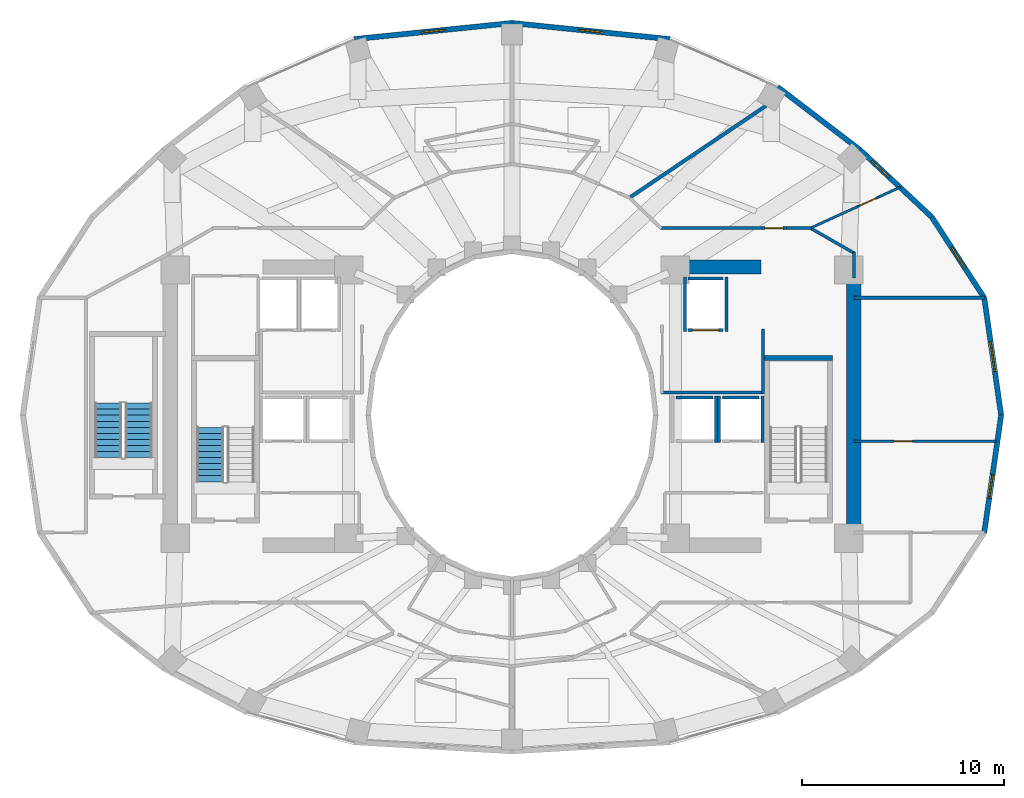
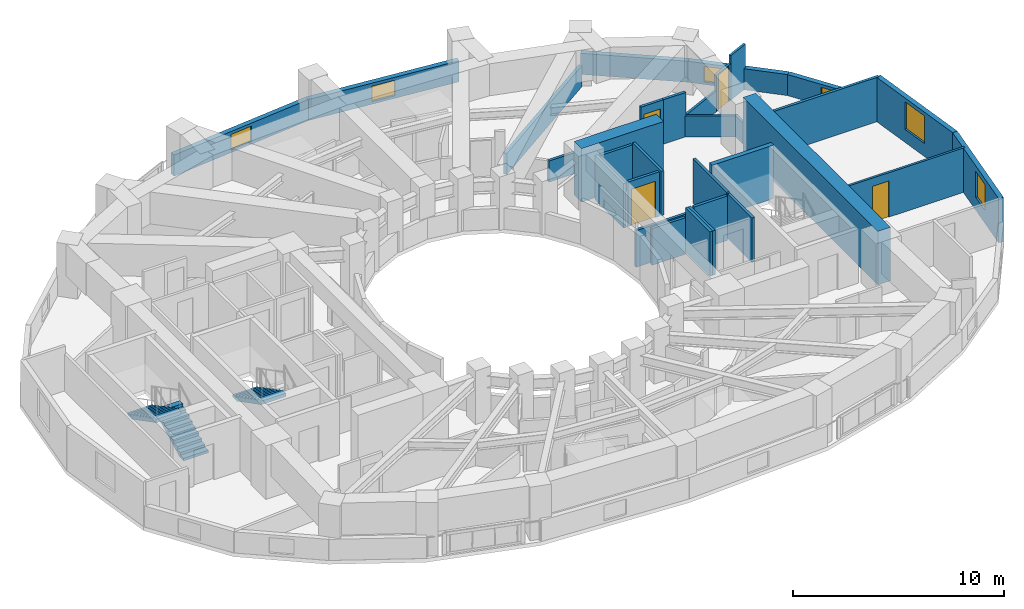
# One storey, part 12 of 16: 32 walls, 6 windows, 4 doors, 3 stair flights, 10 openings, 2 elements without a shape of their own.
"""IFC4 building model written with IfcOpenShell, lengths in metres."""

from ifc_helpers import new_model, si_unit, direction, frame, frame_2d, origin, place, context, subcontext, project, spatial, polyline, rectangle, outline, extrude, material, layer, layer_set, type_object, element, fill, aggregate, save


model = new_model("IFC4")

# Units and contexts
model_context = context("Model", 3, precision=1e-05, world=origin(), true_north=direction((0.0, 1.0)))
body_context = subcontext(model_context, "Body", "Model", "MODEL_VIEW")
ifc_project = project(units=[si_unit("LENGTHUNIT", "METRE"), si_unit("AREAUNIT", "SQUARE_METRE"), si_unit("VOLUMEUNIT", "CUBIC_METRE"), si_unit("PLANEANGLEUNIT", "RADIAN"), si_unit("MASSUNIT", "GRAM", prefix="KILO")], contexts=[model_context])

# Site, building, storey
site_placement = place(None, origin())
site = spatial("IfcSite", under=ifc_project, at=site_placement, CompositionType="ELEMENT")
building_placement = place(site_placement, origin())
building = spatial("IfcBuilding", under=site, at=building_placement, Name="Solvane Sanctuary Tower", CompositionType="ELEMENT")
storey_placement = place(building_placement, frame((0.0, 0.0, 119.699951171875)))
storey = spatial("IfcBuildingStorey", under=building, at=storey_placement, Name="L36", CompositionType="ELEMENT", Elevation=119.699951171875)

# Walls
ifc_material_1 = material(Name="Concrete C60/75", Category="concrete")
ifc_layer_1 = layer(ifc_material_1, 0.699951171875, Name="Concrete C60/75")
ifc_layer_set_1 = layer_set([ifc_layer_1], Name="Concrete C60/75")
wall_type_1 = type_object("IfcWallType", Name="Wall W-CORE-700", PredefinedType="SHEAR", material=ifc_layer_set_1)
wall_1_placement = place(storey_placement, frame((48.949951171875, 17.050048828125, 0.0), z_axis=(0.0, 0.0, 1.0), x_axis=(0.0, 1.0, 0.0)))
element("IfcWall", 1, at=wall_1_placement, inside=storey, type_object=wall_type_1, Name="L36 Core Shear Wall EC-E", PredefinedType="SHEAR", context=body_context, shape_type="SweptSolid", body=[
    extrude(rectangle(XDim=12.800048828125, YDim=0.699951171875, at=frame_2d((6.39990234375, 0.0))), origin(), (0.0, 0.0, 1.0), 3.10009765625),
])
wall_2_placement = place(storey_placement, frame((39.85009765625, 30.35009765625, 0.0), z_axis=(0.0, 0.0, 1.0), x_axis=(1.0, 0.0, 0.0)))
element("IfcWall", 2, at=wall_2_placement, inside=storey, type_object=wall_type_1, Name="L36 Core Shear Wall EC-N", PredefinedType="SHEAR", context=body_context, shape_type="SweptSolid", body=[
    extrude(rectangle(XDim=4.5, YDim=0.699951171875, at=frame_2d((2.25, 0.0))), origin(), (0.0, 0.0, 1.0), 3.10009765625),
])
ifc_material_2 = material(Name="Acoustic Gypsum Partition Board")
ifc_layer_2 = layer(ifc_material_2, 0.14990234375, Name="Acoustic Gypsum Partition Board")
ifc_layer_set_2 = layer_set([ifc_layer_2], Name="Acoustic Gypsum Partition Board")
wall_type_2 = type_object("IfcWallType", Name="Wall W-CORR-150", PredefinedType="PARTITIONING", material=ifc_layer_set_2)
wall_3_placement = place(storey_placement, frame((39.39990234375, 24.1201171875, 0.0), z_axis=(0.0, 0.0, 1.0), x_axis=(1.0, 0.0, 0.0)))
element("IfcWall", 3, at=wall_3_placement, inside=storey, type_object=wall_type_2, Name="L36 East Firefighting Lobby South Wall", PredefinedType="PARTITIONING", context=body_context, shape_type="SweptSolid", body=[
    extrude(rectangle(XDim=5.080078125, YDim=0.14990234375, at=frame_2d((2.5400390625, 0.0))), origin(), (0.0, 0.0, 1.0), 2.1201171875),
])
wall_4_placement = place(storey_placement, frame((44.449951171875, 24.080078125, 0.0), z_axis=(0.0, 0.0, 1.0), x_axis=(0.0, 1.0, 0.0)))
element("IfcWall", 4, at=wall_4_placement, inside=storey, type_object=wall_type_2, Name="L36 East Firefighting Lobby East Wall", PredefinedType="PARTITIONING", context=body_context, shape_type="SweptSolid", body=[
    extrude(rectangle(XDim=3.199951171875, YDim=0.14990234375, at=frame_2d((1.60009765625, 0.0))), origin(), (0.0, 0.0, 1.0), 2.574951171875),
])
wall_5_placement = place(storey_placement, frame((48.949951171875, 28.8251953125, 0.0), z_axis=(0.0, 0.0, 1.0), x_axis=(1.0, 0.0, 0.0)))
element("IfcWall", 5, at=wall_5_placement, inside=storey, type_object=wall_type_2, Name="L36 East Shoulder North Wall", PredefinedType="PARTITIONING", context=body_context, shape_type="SweptSolid", body=[
    extrude(rectangle(XDim=6.49169921875, YDim=0.14990234375, at=frame_2d((3.245849609375, 0.0))), origin(), (0.0, 0.0, 1.0), 2.574951171875),
])
wall_6_placement = place(storey_placement, frame((48.949951171875, 29.800048828125, 0.0), z_axis=(0.0, 0.0, 1.0), x_axis=(0.0, 1.0, 0.0)))
element("IfcWall", 6, at=wall_6_placement, inside=storey, type_object=wall_type_2, Name="L36 NE Corner Closer 1", PredefinedType="PARTITIONING", context=body_context, shape_type="SweptSolid", body=[
    extrude(rectangle(XDim=1.2900390625, YDim=0.14990234375, at=frame_2d((0.64501953125, 0.0))), origin(), (0.0, 0.0, 1.0), 1.219970703125),
])
wall_7_placement = place(storey_placement, frame((39.330078125, 32.280029296875, 0.0), z_axis=(0.0, 0.0, 1.0), x_axis=(1.0, 0.0, 0.0)))
element("IfcWall", 7, at=wall_7_placement, inside=storey, type_object=wall_type_2, Name="L36 NE Corner Corridor Wall", PredefinedType="PARTITIONING", context=body_context, shape_type="SweptSolid", body=[
    extrude(rectangle(XDim=5.059814453125, YDim=0.14990234375, at=frame_2d((2.52978515625, 0.0))), origin(), (0.0, 0.0, 1.0), 1.219970703125),
])

# Wall, opening, door
wall_8_placement = place(storey_placement, frame((44.389892578125, 32.280029296875, 0.0), z_axis=(0.0, 0.0, 1.0), x_axis=(1.0, 0.0, 0.0)))
wall_8 = element("IfcWall", 8, at=wall_8_placement, inside=storey, type_object=wall_type_2, Name="L36 NE Corner Corridor Wall", PredefinedType="PARTITIONING", context=body_context, shape_type="SweptSolid", body=[
    extrude(rectangle(XDim=1.22021484375, YDim=0.14990234375, at=frame_2d((0.610107421875, 0.0))), origin(), (0.0, 0.0, 1.0), 2.574951171875),
])
opening_1_placement = place(wall_8_placement, frame((0.159912109375, 0.0, 0.0)))
opening_1 = element("IfcOpeningElement", 9, at=opening_1_placement, cuts=wall_8, Name="Opening D-L36-13", PredefinedType="OPENING", context=body_context, shape_type="SweptSolid", body=[
    extrude(rectangle(XDim=0.89990234375, YDim=2.10009765625, at=frame_2d((0.449951171875, 1.050048828125))), frame((0.0, 0.0849609375, 0.0), z_axis=(0.0, -1.0, 0.0), x_axis=(1.0, 0.0, 0.0)), (0.0, 0.0, 1.0), 0.169921875),
])
ifc_material_3 = material(Name="Engineered Tropical Hardwood", Category="wood")
door_type_1 = type_object("IfcDoorType", Name="Door D-WET-900", OperationType="NOTDEFINED", PredefinedType="DOOR", material=ifc_material_3)
door_1_placement = place(opening_1_placement, origin())
door_1 = element("IfcDoor", 10, at=door_1_placement, inside=storey, type_object=door_type_1, Name="L36 NE Corner Salon Door", OperationType="SINGLE_SWING_LEFT", OverallHeight=2.10009765625, OverallWidth=0.89990234375, PredefinedType="DOOR", context=body_context, shape_type="SweptSolid", body=[
    extrude(rectangle(XDim=0.89990234375, YDim=2.10009765625, at=frame_2d((0.449951171875, 1.050048828125))), frame((0.0, 0.02490234375, 0.0), z_axis=(0.0, -1.0, 0.0), x_axis=(1.0, 0.0, 0.0)), (0.0, 0.0, 1.0), 0.050048828125),
])
fill(opening_1, door_1)

# Walls
wall_9_placement = place(storey_placement, frame((45.610107421875, 32.280029296875, 0.0), z_axis=(0.0, 0.0, 1.0), x_axis=(1.0, 0.0, 0.0)))
element("IfcWall", 11, at=wall_9_placement, inside=storey, type_object=wall_type_2, Name="L36 NE Corner Corridor Wall", PredefinedType="PARTITIONING", context=body_context, shape_type="SweptSolid", body=[
    extrude(rectangle(XDim=1.239990234375, YDim=0.14990234375, at=frame_2d((0.6201171875, 0.0))), origin(), (0.0, 0.0, 1.0), 2.574951171875),
])
wall_10_placement = place(storey_placement, frame((46.756591796875, 32.3046875, 0.0), z_axis=(0.0, 0.0, 1.0), x_axis=(0.867991349648, -0.496579315857, 0.0)))
element("IfcWall", 12, at=wall_10_placement, inside=storey, type_object=wall_type_2, Name="L36 NE Corner Wing Wall", PredefinedType="PARTITIONING", context=body_context, shape_type="SweptSolid", body=[
    extrude(rectangle(XDim=2.56689453125, YDim=0.14990234375, at=frame_2d((1.283447265625, 0.0))), origin(), (0.0, 0.0, 1.0), 1.219970703125),
])

# Wall, opening, window
ifc_material_4 = material(Name="Precast concrete C40/50", Category="concrete")
ifc_layer_3 = layer(ifc_material_4, 0.260009765625, Name="Precast concrete C40/50")
ifc_layer_set_3 = layer_set([ifc_layer_3], Name="Precast concrete C40/50")
wall_type_3 = type_object("IfcWallType", Name="Wall W-EXT-250", PredefinedType="STANDARD", material=ifc_layer_set_3)
wall_11_placement = place(storey_placement, frame((56.260009765625, 23.0, 0.0), z_axis=(0.0, 0.0, 1.0), x_axis=(-0.142572472068, 0.98978436551, 0.0)))
wall_11 = element("IfcWall", 13, at=wall_11_placement, inside=storey, type_object=wall_type_3, Name="L36 Ceramic-Printed Facade Wall 00", PredefinedType="STANDARD", context=body_context, shape_type="SweptSolid", body=[
    extrude(rectangle(XDim=5.878662109375, YDim=0.260009765625, at=frame_2d((2.939453125, 0.0))), origin(), (0.0, 0.0, 1.0), 2.570068359375),
])
opening_2_placement = place(wall_11_placement, frame((2.189453125, 0.0, 0.75)))
opening_2 = element("IfcOpeningElement", 14, at=opening_2_placement, cuts=wall_11, Name="Opening WN-OPER-1500", PredefinedType="OPENING", context=body_context, shape_type="SweptSolid", body=[
    extrude(rectangle(XDim=1.5, YDim=1.60009765625, at=frame_2d((0.75, 0.800048828125))), frame((0.0, 0.139892578125, 0.0), z_axis=(0.0, -1.0, 0.0), x_axis=(1.0, 0.0, 0.0)), (0.0, 0.0, 1.0), 0.280029296875),
])
ifc_material_5 = material(Name="Dark Ceramic-Fritted Low-E Glass", Category="glass")
window_type_1 = type_object("IfcWindowType", Name="Window WN-OPER-1500", PartitioningType="SINGLE_PANEL", PredefinedType="WINDOW", material=ifc_material_5)
window_1_placement = place(opening_2_placement, origin())
window_1 = element("IfcWindow", 15, at=window_1_placement, inside=storey, type_object=window_type_1, Name="L36 Operable Facade Window 00", OverallHeight=1.60009765625, OverallWidth=1.5, PartitioningType="SINGLE_PANEL", PredefinedType="WINDOW", context=body_context, shape_type="SweptSolid", body=[
    extrude(rectangle(XDim=1.5, YDim=1.60009765625, at=frame_2d((0.75, 0.800048828125))), frame((0.0, 0.030029296875, 0.0), z_axis=(0.0, -1.0, 0.0), x_axis=(1.0, 0.0, 0.0)), (0.0, 0.0, 1.0), 0.06005859375),
])
fill(opening_2, window_1)

wall_12_placement = place(storey_placement, frame((55.421875, 28.818603515625, 0.0), z_axis=(0.0, 0.0, 1.0), x_axis=(-0.544388392991, 0.838833283541, 0.0)))
wall_12 = element("IfcWall", 16, at=wall_12_placement, inside=storey, type_object=wall_type_3, Name="L36 Ceramic-Printed Facade Wall 01", PredefinedType="STANDARD", context=body_context, shape_type="SweptSolid", body=[
    extrude(rectangle(XDim=4.7783203125, YDim=0.260009765625, at=frame_2d((2.38916015625, 0.0))), origin(), (0.0, 0.0, 1.0), 1.219970703125),
])
opening_3_placement = place(wall_12_placement, frame((1.7890625, 0.0, 0.14990234375)))
opening_3 = element("IfcOpeningElement", 17, at=opening_3_placement, cuts=wall_12, Name="Opening WN-OPER-1200", PredefinedType="OPENING", context=body_context, shape_type="SweptSolid", body=[
    extrude(rectangle(XDim=1.199951171875, YDim=0.89990234375, at=frame_2d((0.60009765625, 0.449951171875))), frame((0.0, 0.139892578125, 0.0), z_axis=(0.0, -1.0, 0.0), x_axis=(1.0, 0.0, 0.0)), (0.0, 0.0, 1.0), 0.280029296875),
])
window_type_2 = type_object("IfcWindowType", Name="Window WN-OPER-1200", PartitioningType="SINGLE_PANEL", PredefinedType="WINDOW", material=ifc_material_5)
window_2_placement = place(opening_3_placement, origin())
window_2 = element("IfcWindow", 18, at=window_2_placement, inside=storey, type_object=window_type_2, Name="L36 Operable Facade Window 01", OverallHeight=0.89990234375, OverallWidth=1.199951171875, PartitioningType="SINGLE_PANEL", PredefinedType="WINDOW", context=body_context, shape_type="SweptSolid", body=[
    extrude(rectangle(XDim=1.199951171875, YDim=0.89990234375, at=frame_2d((0.60009765625, 0.449951171875))), frame((0.0, 0.030029296875, 0.0), z_axis=(0.0, -1.0, 0.0), x_axis=(1.0, 0.0, 0.0)), (0.0, 0.0, 1.0), 0.06005859375),
])
fill(opening_3, window_2)

wall_13_placement = place(storey_placement, frame((52.820556640625, 32.826904296875, 0.0), z_axis=(0.0, 0.0, 1.0), x_axis=(-0.730162452258, 0.68327358599, 0.0)))
wall_13 = element("IfcWall", 19, at=wall_13_placement, inside=storey, type_object=wall_type_3, Name="L36 Ceramic-Printed Facade Wall 02", PredefinedType="STANDARD", context=body_context, shape_type="SweptSolid", body=[
    extrude(rectangle(XDim=4.868408203125, YDim=0.260009765625, at=frame_2d((2.43408203125, 0.0))), origin(), (0.0, 0.0, 1.0), 1.219970703125),
])
opening_4_placement = place(wall_13_placement, frame((2.88916015625, 0.0, 0.14990234375)))
opening_4 = element("IfcOpeningElement", 20, at=opening_4_placement, cuts=wall_13, Name="Opening WN-OPER-1200", PredefinedType="OPENING", context=body_context, shape_type="SweptSolid", body=[
    extrude(rectangle(XDim=1.199951171875, YDim=0.89990234375, at=frame_2d((0.60009765625, 0.449951171875))), frame((0.0, 0.139892578125, 0.0), z_axis=(0.0, -1.0, 0.0), x_axis=(1.0, 0.0, 0.0)), (0.0, 0.0, 1.0), 0.280029296875),
])
window_3_placement = place(opening_4_placement, origin())
window_3 = element("IfcWindow", 21, at=window_3_placement, inside=storey, type_object=window_type_2, Name="L36 Operable Facade Window 02", OverallHeight=0.89990234375, OverallWidth=1.199951171875, PartitioningType="SINGLE_PANEL", PredefinedType="WINDOW", context=body_context, shape_type="SweptSolid", body=[
    extrude(rectangle(XDim=1.199951171875, YDim=0.89990234375, at=frame_2d((0.60009765625, 0.449951171875))), frame((0.0, 0.030029296875, 0.0), z_axis=(0.0, -1.0, 0.0), x_axis=(1.0, 0.0, 0.0)), (0.0, 0.0, 1.0), 0.06005859375),
])
fill(opening_4, window_3)

# Wall
wall_14_placement = place(storey_placement, frame((49.265869140625, 36.1533203125, 0.0), z_axis=(0.0, 0.0, 1.0), x_axis=(-0.794809810864, 0.606858603427, 0.0)))
element("IfcWall", 22, at=wall_14_placement, inside=storey, type_object=wall_type_3, Name="L36 Ceramic-Printed Facade Wall 03", PredefinedType="STANDARD", context=body_context, shape_type="SweptSolid", body=[
    extrude(rectangle(XDim=5.149169921875, YDim=0.260009765625, at=frame_2d((2.57470703125, 0.0))), origin(), (0.0, 0.0, 1.0), 1.219970703125),
])

# Wall, opening, window
wall_15_placement = place(storey_placement, frame((39.81640625, 41.650634765625, 0.0), z_axis=(0.0, 0.0, 1.0), x_axis=(-0.994821390558, 0.101638579726, 0.0)))
wall_15 = element("IfcWall", 23, at=wall_15_placement, inside=storey, type_object=wall_type_3, Name="L36 Ceramic-Printed Facade Wall 05", PredefinedType="STANDARD", context=body_context, shape_type="SweptSolid", body=[
    extrude(rectangle(XDim=7.857177734375, YDim=0.260009765625, at=frame_2d((3.9287109375, 0.0))), origin(), (0.0, 0.0, 1.0), 1.219970703125),
])
opening_5_placement = place(wall_15_placement, frame((3.32861328125, 0.0, 0.14990234375)))
opening_5 = element("IfcOpeningElement", 24, at=opening_5_placement, cuts=wall_15, Name="Opening WN-OPER-1200", PredefinedType="OPENING", context=body_context, shape_type="SweptSolid", body=[
    extrude(rectangle(XDim=1.199951171875, YDim=0.89990234375, at=frame_2d((0.60009765625, 0.449951171875))), frame((0.0, 0.139892578125, 0.0), z_axis=(0.0, -1.0, 0.0), x_axis=(1.0, 0.0, 0.0)), (0.0, 0.0, 1.0), 0.280029296875),
])
window_4_placement = place(opening_5_placement, origin())
window_4 = element("IfcWindow", 25, at=window_4_placement, inside=storey, type_object=window_type_2, Name="L36 Operable Facade Window 05", OverallHeight=0.89990234375, OverallWidth=1.199951171875, PartitioningType="SINGLE_PANEL", PredefinedType="WINDOW", context=body_context, shape_type="SweptSolid", body=[
    extrude(rectangle(XDim=1.199951171875, YDim=0.89990234375, at=frame_2d((0.60009765625, 0.449951171875))), frame((0.0, 0.030029296875, 0.0), z_axis=(0.0, -1.0, 0.0), x_axis=(1.0, 0.0, 0.0)), (0.0, 0.0, 1.0), 0.06005859375),
])
fill(opening_5, window_4)

wall_16_placement = place(storey_placement, frame((32.0, 42.44921875, 0.0), z_axis=(0.0, 0.0, 1.0), x_axis=(-0.994821390558, -0.101638579726, 0.0)))
wall_16 = element("IfcWall", 26, at=wall_16_placement, inside=storey, type_object=wall_type_3, Name="L36 Ceramic-Printed Facade Wall 06", PredefinedType="STANDARD", context=body_context, shape_type="SweptSolid", body=[
    extrude(rectangle(XDim=7.857177734375, YDim=0.260009765625, at=frame_2d((3.9287109375, 0.0))), origin(), (0.0, 0.0, 1.0), 1.219970703125),
])
opening_6_placement = place(wall_16_placement, frame((3.32861328125, 0.0, 0.14990234375)))
opening_6 = element("IfcOpeningElement", 27, at=opening_6_placement, cuts=wall_16, Name="Opening WN-OPER-1200", PredefinedType="OPENING", context=body_context, shape_type="SweptSolid", body=[
    extrude(rectangle(XDim=1.199951171875, YDim=0.89990234375, at=frame_2d((0.60009765625, 0.449951171875))), frame((0.0, 0.139892578125, 0.0), z_axis=(0.0, -1.0, 0.0), x_axis=(1.0, 0.0, 0.0)), (0.0, 0.0, 1.0), 0.280029296875),
])
window_5_placement = place(opening_6_placement, origin())
window_5 = element("IfcWindow", 28, at=window_5_placement, inside=storey, type_object=window_type_2, Name="L36 Operable Facade Window 06", OverallHeight=0.89990234375, OverallWidth=1.199951171875, PartitioningType="SINGLE_PANEL", PredefinedType="WINDOW", context=body_context, shape_type="SweptSolid", body=[
    extrude(rectangle(XDim=1.199951171875, YDim=0.89990234375, at=frame_2d((0.60009765625, 0.449951171875))), frame((0.0, 0.030029296875, 0.0), z_axis=(0.0, -1.0, 0.0), x_axis=(1.0, 0.0, 0.0)), (0.0, 0.0, 1.0), 0.06005859375),
])
fill(opening_6, window_5)

wall_17_placement = place(storey_placement, frame((55.421875, 17.181396484375, 0.0), z_axis=(0.0, 0.0, 1.0), x_axis=(0.142572472068, 0.98978436551, 0.0)))
wall_17 = element("IfcWall", 29, at=wall_17_placement, inside=storey, type_object=wall_type_3, Name="L36 Ceramic-Printed Facade Wall 23", PredefinedType="STANDARD", context=body_context, shape_type="SweptSolid", body=[
    extrude(rectangle(XDim=5.878662109375, YDim=0.260009765625, at=frame_2d((2.939453125, 0.0))), origin(), (0.0, 0.0, 1.0), 2.570068359375),
])
opening_7_placement = place(wall_17_placement, frame((1.707763671875, 0.0, 0.75)))
opening_7 = element("IfcOpeningElement", 30, at=opening_7_placement, cuts=wall_17, Name="Opening WN-OPER-1200", PredefinedType="OPENING", context=body_context, shape_type="SweptSolid", body=[
    extrude(rectangle(XDim=1.199951171875, YDim=1.5, at=frame_2d((0.60009765625, 0.75))), frame((0.0, 0.139892578125, 0.0), z_axis=(0.0, -1.0, 0.0), x_axis=(1.0, 0.0, 0.0)), (0.0, 0.0, 1.0), 0.280029296875),
])
window_6_placement = place(opening_7_placement, origin())
window_6 = element("IfcWindow", 31, at=window_6_placement, inside=storey, type_object=window_type_2, Name="L36 Operable Facade Window 23", OverallHeight=1.5, OverallWidth=1.199951171875, PartitioningType="SINGLE_PANEL", PredefinedType="WINDOW", context=body_context, shape_type="SweptSolid", body=[
    extrude(rectangle(XDim=1.199951171875, YDim=1.5, at=frame_2d((0.60009765625, 0.75))), frame((0.0, 0.030029296875, 0.0), z_axis=(0.0, -1.0, 0.0), x_axis=(1.0, 0.0, 0.0)), (0.0, 0.0, 1.0), 0.06005859375),
])
fill(opening_7, window_6)

# Wall, opening, door
ifc_layer_4 = layer(ifc_material_2, 0.1201171875, Name="Acoustic Gypsum Partition Board")
ifc_layer_set_4 = layer_set([ifc_layer_4], Name="Acoustic Gypsum Partition Board")
wall_type_4 = type_object("IfcWallType", Name="Wall W-MOV-100", PredefinedType="MOVABLE", material=ifc_layer_set_4)
wall_18_placement = place(storey_placement, frame((48.949951171875, 21.699951171875, 0.0), z_axis=(0.0, 0.0, 1.0), x_axis=(1.0, 0.0, 0.0)))
wall_18 = element("IfcWall", 32, at=wall_18_placement, inside=storey, type_object=wall_type_4, Name="L36 East Suite Partition", PredefinedType="MOVABLE", context=body_context, shape_type="SweptSolid", body=[
    extrude(rectangle(XDim=7.0830078125, YDim=0.1201171875, at=frame_2d((3.54150390625, 0.0))), origin(), (0.0, 0.0, 1.0), 2.574951171875),
])
opening_8_placement = place(wall_18_placement, frame((2.0, 0.0, 0.0)))
opening_8 = element("IfcOpeningElement", 33, at=opening_8_placement, cuts=wall_18, Name="Opening D-L36-10", PredefinedType="OPENING", context=body_context, shape_type="SweptSolid", body=[
    extrude(rectangle(XDim=0.89990234375, YDim=2.10009765625, at=frame_2d((0.449951171875, 1.050048828125))), frame((0.0, 0.070068359375, 0.0), z_axis=(0.0, -1.0, 0.0), x_axis=(1.0, 0.0, 0.0)), (0.0, 0.0, 1.0), 0.14013671875),
])
door_2_placement = place(opening_8_placement, origin())
door_2 = element("IfcDoor", 34, at=door_2_placement, inside=storey, type_object=door_type_1, Name="L36 East Suite Internal Door", OperationType="SINGLE_SWING_RIGHT", OverallHeight=2.10009765625, OverallWidth=0.89990234375, PredefinedType="DOOR", context=body_context, shape_type="SweptSolid", body=[
    extrude(rectangle(XDim=0.89990234375, YDim=2.10009765625, at=frame_2d((0.449951171875, 1.050048828125))), frame((0.0, 0.02490234375, 0.0), z_axis=(0.0, -1.0, 0.0), x_axis=(1.0, 0.0, 0.0)), (0.0, 0.0, 1.0), 0.050048828125),
])
fill(opening_8, door_2)

# Wall
wall_19_placement = place(storey_placement, frame((46.75439453125, 32.25927734375, 0.0), z_axis=(0.0, 0.0, 1.0), x_axis=(0.910131348923, 0.414319837453, 0.0)))
element("IfcWall", 35, at=wall_19_placement, inside=storey, type_object=wall_type_4, Name="L36 NE Corner Suite Partition", PredefinedType="MOVABLE", context=body_context, shape_type="SweptSolid", body=[
    extrude(rectangle(XDim=2.597412109375, YDim=0.1201171875, at=frame_2d((1.298828125, 0.0))), origin(), (0.0, 0.0, 1.0), 1.219970703125),
])

# Wall, opening, door
wall_20_placement = place(storey_placement, frame((49.118408203125, 33.33544921875, 0.0), z_axis=(0.0, 0.0, 1.0), x_axis=(0.910109068125, 0.414368777922, 0.0)))
wall_20 = element("IfcWall", 36, at=wall_20_placement, inside=storey, type_object=wall_type_4, Name="L36 NE Corner Suite Partition", PredefinedType="MOVABLE", context=body_context, shape_type="SweptSolid", body=[
    extrude(rectangle(XDim=1.170166015625, YDim=0.1201171875, at=frame_2d((0.5849609375, 0.0))), origin(), (0.0, 0.0, 1.0), 2.110107421875),
])
opening_9_placement = place(wall_20_placement, frame((0.159912109375, 0.0, 0.0)))
opening_9 = element("IfcOpeningElement", 37, at=opening_9_placement, cuts=wall_20, Name="Opening D-L36-12", PredefinedType="OPENING", context=body_context, shape_type="SweptSolid", body=[
    extrude(rectangle(XDim=0.85009765625, YDim=2.050048828125, at=frame_2d((0.425048828125, 1.02490234375))), frame((0.0, 0.070068359375, 0.0), z_axis=(0.0, -1.0, 0.0), x_axis=(1.0, 0.0, 0.0)), (0.0, 0.0, 1.0), 0.14013671875),
])
ifc_material_6 = material(Name="Architectural Stainless Steel 316", Category="steel")
door_type_2 = type_object("IfcDoorType", Name="Door D-RISER", OperationType="NOTDEFINED", PredefinedType="DOOR", material=ifc_material_6)
door_3_placement = place(opening_9_placement, origin())
door_3 = element("IfcDoor", 38, at=door_3_placement, inside=storey, type_object=door_type_2, Name="L36 NE Corner Suite Door", OperationType="SINGLE_SWING_RIGHT", OverallHeight=2.050048828125, OverallWidth=0.85009765625, PredefinedType="DOOR", context=body_context, shape_type="SweptSolid", body=[
    extrude(rectangle(XDim=0.85009765625, YDim=2.050048828125, at=frame_2d((0.425048828125, 1.02490234375))), frame((0.0, 0.02490234375, 0.0), z_axis=(0.0, -1.0, 0.0), x_axis=(1.0, 0.0, 0.0)), (0.0, 0.0, 1.0), 0.050048828125),
])
fill(opening_9, door_3)

# Walls
wall_21_placement = place(storey_placement, frame((50.183349609375, 33.8203125, 0.0), z_axis=(0.0, 0.0, 1.0), x_axis=(0.910190844067, 0.414189120301, 0.0)))
element("IfcWall", 39, at=wall_21_placement, inside=storey, type_object=wall_type_4, Name="L36 NE Corner Suite Partition", PredefinedType="MOVABLE", context=body_context, shape_type="SweptSolid", body=[
    extrude(rectangle(XDim=1.190673828125, YDim=0.1201171875, at=frame_2d((0.59521484375, 0.0))), origin(), (0.0, 0.0, 1.0), 2.574951171875),
])
ifc_material_7 = material(Name="Concrete C50/60", Category="concrete")
ifc_layer_5 = layer(ifc_material_7, 0.14990234375, Name="Concrete C50/60")
ifc_layer_set_5 = layer_set([ifc_layer_5], Name="Concrete C50/60")
wall_type_5 = type_object("IfcWallType", Name="Wall W-SHAFT-150", PredefinedType="SOLIDWALL", material=ifc_layer_set_5)
wall_22_placement = place(storey_placement, frame((42.43994140625, 23.8798828125, 0.0), z_axis=(0.0, 0.0, 1.0), x_axis=(1.0, 0.0, 0.0)))
element("IfcWall", 40, at=wall_22_placement, inside=storey, type_object=wall_type_5, Name="L36 PM-2 Lift Shaft Wall B", PredefinedType="SOLIDWALL", context=body_context, shape_type="SweptSolid", body=[
    extrude(rectangle(XDim=1.820068359375, YDim=0.14990234375, at=frame_2d((0.91015625, 0.0))), origin(), (0.0, 0.0, 1.0), 2.574951171875),
])
for number, where, z_axis, x_axis, name in (
    (41, (42.27001953125, 21.639892578125, 0.0), (0.0, 0.0, 1.0), (0.0, 1.0, 0.0), "L36 PM-2 Lift Shaft Wall S1"),
    (42, (44.429931640625, 21.639892578125, 0.0), (0.0, 0.0, 1.0), (0.0, 1.0, 0.0), "L36 PM-2 Lift Shaft Wall S2"),
):
    element("IfcWall", number, at=place(storey_placement, frame(where, z_axis=z_axis, x_axis=x_axis)), inside=storey, type_object=wall_type_5, Name=name, PredefinedType="SOLIDWALL", context=body_context, shape_type="SweptSolid", body=[
        extrude(rectangle(XDim=2.320068359375, YDim=0.14990234375, at=frame_2d((1.16015625, 0.0))), origin(), (0.0, 0.0, 1.0), 2.574951171875),
    ])
wall_23_placement = place(storey_placement, frame((40.139892578125, 23.8798828125, 0.0), z_axis=(0.0, 0.0, 1.0), x_axis=(1.0, 0.0, 0.0)))
element("IfcWall", 43, at=wall_23_placement, inside=storey, type_object=wall_type_5, Name="L36 PH-2 Lift Shaft Wall B", PredefinedType="SOLIDWALL", context=body_context, shape_type="SweptSolid", body=[
    extrude(rectangle(XDim=1.820068359375, YDim=0.14990234375, at=frame_2d((0.91015625, 0.0))), origin(), (0.0, 0.0, 1.0), 2.1201171875),
])
wall_24_placement = place(storey_placement, frame((42.1298828125, 21.639892578125, 0.0), z_axis=(0.0, 0.0, 1.0), x_axis=(0.0, 1.0, 0.0)))
element("IfcWall", 44, at=wall_24_placement, inside=storey, type_object=wall_type_5, Name="L36 PH-2 Lift Shaft Wall S2", PredefinedType="SOLIDWALL", context=body_context, shape_type="SweptSolid", body=[
    extrude(rectangle(XDim=2.320068359375, YDim=0.14990234375, at=frame_2d((1.16015625, 0.0))), origin(), (0.0, 0.0, 1.0), 2.574951171875),
])

# Wall, opening, door
wall_25_placement = place(storey_placement, frame((40.739990234375, 27.219970703125, 0.0), z_axis=(0.0, 0.0, 1.0), x_axis=(1.0, 0.0, 0.0)))
wall_25 = element("IfcWall", 45, at=wall_25_placement, inside=storey, type_object=wall_type_5, Name="L36 FFL-2 Lift Shaft Wall F", PredefinedType="SOLIDWALL", context=body_context, shape_type="SweptSolid", body=[
    extrude(rectangle(XDim=1.719970703125, YDim=0.14990234375, at=frame_2d((0.85986328125, 0.0))), origin(), (0.0, 0.0, 1.0), 2.574951171875),
])
opening_10_placement = place(wall_25_placement, frame((0.2099609375, 0.0, 0.0)))
opening_10 = element("IfcOpeningElement", 46, at=opening_10_placement, cuts=wall_25, Name="Opening LD-L36-05", PredefinedType="OPENING", context=body_context, shape_type="SweptSolid", body=[
    extrude(rectangle(XDim=1.300048828125, YDim=2.10009765625, at=frame_2d((0.64990234375, 1.050048828125))), frame((0.0, 0.0849609375, 0.0), z_axis=(0.0, -1.0, 0.0), x_axis=(1.0, 0.0, 0.0)), (0.0, 0.0, 1.0), 0.169921875),
])
door_type_3 = type_object("IfcDoorType", Name="Door LD-FFL-1300", OperationType="NOTDEFINED", PredefinedType="DOOR", material=ifc_material_6)
door_4_placement = place(opening_10_placement, origin())
door_4 = element("IfcDoor", 47, at=door_4_placement, inside=storey, type_object=door_type_3, Name="L36 FFL-2 Lift Landing Door", OperationType="DOUBLE_DOOR_SLIDING", OverallHeight=2.10009765625, OverallWidth=1.300048828125, PredefinedType="DOOR", context=body_context, shape_type="SweptSolid", body=[
    extrude(rectangle(XDim=1.300048828125, YDim=2.10009765625, at=frame_2d((0.64990234375, 1.050048828125))), frame((0.0, 0.02490234375, 0.0), z_axis=(0.0, -1.0, 0.0), x_axis=(1.0, 0.0, 0.0)), (0.0, 0.0, 1.0), 0.050048828125),
])
fill(opening_10, door_4)

# Walls
wall_26_placement = place(storey_placement, frame((40.739990234375, 29.780029296875, 0.0), z_axis=(0.0, 0.0, 1.0), x_axis=(1.0, 0.0, 0.0)))
element("IfcWall", 48, at=wall_26_placement, inside=storey, type_object=wall_type_5, Name="L36 FFL-2 Lift Shaft Wall B", PredefinedType="SOLIDWALL", context=body_context, shape_type="SweptSolid", body=[
    extrude(rectangle(XDim=1.719970703125, YDim=0.14990234375, at=frame_2d((0.85986328125, 0.0))), origin(), (0.0, 0.0, 1.0), 2.574951171875),
])
for number, where, z_axis, x_axis, name in (
    (49, (40.570068359375, 27.139892578125, 0.0), (0.0, 0.0, 1.0), (0.0, 1.0, 0.0), "L36 FFL-2 Lift Shaft Wall S1"),
    (50, (42.6298828125, 27.139892578125, 0.0), (0.0, 0.0, 1.0), (0.0, 1.0, 0.0), "L36 FFL-2 Lift Shaft Wall S2"),
):
    element("IfcWall", number, at=place(storey_placement, frame(where, z_axis=z_axis, x_axis=x_axis)), inside=storey, type_object=wall_type_5, Name=name, PredefinedType="SOLIDWALL", context=body_context, shape_type="SweptSolid", body=[
        extrude(rectangle(XDim=2.72021484375, YDim=0.14990234375, at=frame_2d((1.360107421875, 0.0))), origin(), (0.0, 0.0, 1.0), 2.574951171875),
    ])
ifc_layer_6 = layer(ifc_material_7, 0.25, Name="Concrete C50/60")
ifc_layer_set_6 = layer_set([ifc_layer_6], Name="Concrete C50/60")
wall_type_6 = type_object("IfcWallType", Name="Wall W-SHAFT-250", PredefinedType="SOLIDWALL", material=ifc_layer_set_6)
wall_27_placement = place(storey_placement, frame((44.52490234375, 25.830078125, 0.0), z_axis=(0.0, 0.0, 1.0), x_axis=(1.0, 0.0, 0.0)))
element("IfcWall", 51, at=wall_27_placement, inside=storey, type_object=wall_type_6, Name="L36 ST-2 Load-Bearing Shaft Wall N", PredefinedType="SOLIDWALL", context=body_context, shape_type="SweptSolid", body=[
    extrude(rectangle(XDim=3.3701171875, YDim=0.25, at=frame_2d((1.68505859375, 0.0))), origin(), (0.0, 0.0, 1.0), 3.10009765625),
])
ifc_layer_7 = layer(ifc_material_2, 0.179931640625, Name="Acoustic Gypsum Partition Board")
ifc_layer_set_7 = layer_set([ifc_layer_7], Name="Acoustic Gypsum Partition Board")
wall_type_7 = type_object("IfcWallType", Name="Wall W-UNIT-180", PredefinedType="PARTITIONING", material=ifc_layer_set_7)
wall_28_placement = place(storey_placement, frame((37.87353515625, 33.81787109375, 0.0), z_axis=(0.0, 0.0, 1.0), x_axis=(0.829603023521, 0.558353672295, 0.0)))
element("IfcWall", 52, at=wall_28_placement, inside=storey, type_object=wall_type_7, Name="L36 Radial Compartment Wall 060", PredefinedType="PARTITIONING", context=body_context, shape_type="SweptSolid", body=[
    extrude(rectangle(XDim=8.114990234375, YDim=0.179931640625, at=frame_2d((4.0576171875, 0.0))), origin(), (0.0, 0.0, 1.0), 1.219970703125),
])

# Stair, stair flight
ifc_material_8 = material(Name="Concrete C45/55", Category="concrete")
stair_type = type_object("IfcStairType", Name="Stair ST-TOW", PredefinedType="HALF_TURN_STAIR", material=ifc_material_8)
stair_1_placement = place(storey_placement, origin())
stair_1 = element("IfcStair", 53, at=stair_1_placement, inside=storey, type_object=stair_type, Name="L36 Exit Stair ST-1 West Core", PredefinedType="HALF_TURN_STAIR")
stair_flight_type = type_object("IfcStairFlightType", Name="StairFlight SF-TOW", PredefinedType="STRAIGHT", material=ifc_material_8)
stair_flight_1_placement = place(storey_placement, frame((17.034912109375, 22.39990234375, 1.550048828125), z_axis=(0.0, 0.0, 1.0), x_axis=(0.0, -1.0, 0.0)))
stair_flight_1 = element("IfcStairFlight", 54, at=stair_flight_1_placement, type_object=stair_flight_type, Name="ST-1 flight 2", NumberOfRisers=10, NumberOfTreads=9, PredefinedType="STRAIGHT", RiserHeight=0.155, TreadLength=0.3, context=body_context, shape_type="SweptSolid", body=[
    extrude(outline(polyline([(0.0, 0.0), (0.0, 0.155029296875), (0.300048828125, 0.155029296875), (0.300048828125, 0.31005859375), (0.60009765625, 0.31005859375), (0.60009765625, 0.465087890625), (0.89990234375, 0.465087890625), (0.89990234375, 0.6201171875), (1.199951171875, 0.6201171875), (1.199951171875, 0.77490234375), (1.5, 0.77490234375), (1.5, 0.929931640625), (1.800048828125, 0.929931640625), (1.800048828125, 1.0849609375), (2.10009765625, 1.0849609375), (2.10009765625, 1.239990234375), (2.39990234375, 1.239990234375), (2.39990234375, 1.39501953125), (2.699951171875, 1.39501953125), (2.699951171875, 1.550048828125), (2.699951171875, 1.1923828125), (0.39208984375, 0.0), (0.0, 0.0)])), frame((0.0, 0.675048828125, 0.0), z_axis=(0.0, -1.0, 0.0), x_axis=(1.0, 0.0, 0.0)), (0.0, 0.0, 1.0), 1.35009765625),
])
aggregate(stair_1, [stair_flight_1])

# Stair, stair flights
stair_2_placement = place(storey_placement, origin())
stair_2 = element("IfcStair", 55, at=stair_2_placement, inside=storey, type_object=stair_type, Name="L36 Exit Stair ST-3 Pilgrim Tower Stair", PredefinedType="HALF_TURN_STAIR")
stair_flight_2_placement = place(storey_placement, frame((13.485107421875, 20.89990234375, 0.0), z_axis=(0.0, 0.0, 1.0), x_axis=(0.0, 1.0, 0.0)))
stair_flight_2 = element("IfcStairFlight", 56, at=stair_flight_2_placement, type_object=stair_flight_type, Name="ST-3 flight 1", NumberOfRisers=10, NumberOfTreads=9, PredefinedType="STRAIGHT", RiserHeight=0.155, TreadLength=0.3, context=body_context, shape_type="SweptSolid", body=[
    extrude(outline(polyline([(0.0, 0.0), (0.0, 0.155029296875), (0.300048828125, 0.155029296875), (0.300048828125, 0.31005859375), (0.60009765625, 0.31005859375), (0.60009765625, 0.465087890625), (0.89990234375, 0.465087890625), (0.89990234375, 0.6201171875), (1.199951171875, 0.6201171875), (1.199951171875, 0.77490234375), (1.5, 0.77490234375), (1.5, 0.929931640625), (1.800048828125, 0.929931640625), (1.800048828125, 1.0849609375), (2.10009765625, 1.0849609375), (2.10009765625, 1.239990234375), (2.39990234375, 1.239990234375), (2.39990234375, 1.39501953125), (2.699951171875, 1.39501953125), (2.699951171875, 1.550048828125), (2.699951171875, 1.1923828125), (0.39208984375, 0.0), (0.0, 0.0)])), frame((0.0, 0.675048828125, 0.0), z_axis=(0.0, -1.0, 0.0), x_axis=(1.0, 0.0, 0.0)), (0.0, 0.0, 1.0), 1.35009765625),
])
stair_flight_3_placement = place(storey_placement, frame((11.97509765625, 23.60009765625, 1.550048828125), z_axis=(0.0, 0.0, 1.0), x_axis=(0.0, -1.0, 0.0)))
stair_flight_3 = element("IfcStairFlight", 57, at=stair_flight_3_placement, type_object=stair_flight_type, Name="ST-3 flight 2", NumberOfRisers=10, NumberOfTreads=9, PredefinedType="STRAIGHT", RiserHeight=0.155, TreadLength=0.3, context=body_context, shape_type="SweptSolid", body=[
    extrude(outline(polyline([(0.0, 0.0), (0.0, 0.155029296875), (0.300048828125, 0.155029296875), (0.300048828125, 0.31005859375), (0.60009765625, 0.31005859375), (0.60009765625, 0.465087890625), (0.89990234375, 0.465087890625), (0.89990234375, 0.6201171875), (1.199951171875, 0.6201171875), (1.199951171875, 0.77490234375), (1.5, 0.77490234375), (1.5, 0.929931640625), (1.800048828125, 0.929931640625), (1.800048828125, 1.0849609375), (2.10009765625, 1.0849609375), (2.10009765625, 1.239990234375), (2.39990234375, 1.239990234375), (2.39990234375, 1.39501953125), (2.699951171875, 1.39501953125), (2.699951171875, 1.550048828125), (2.699951171875, 1.1923828125), (0.39208984375, 0.0), (0.0, 0.0)])), frame((0.0, 0.675048828125, 0.0), z_axis=(0.0, -1.0, 0.0), x_axis=(1.0, 0.0, 0.0)), (0.0, 0.0, 1.0), 1.35009765625),
])
aggregate(stair_2, [stair_flight_2, stair_flight_3])

save(model, "model.ifc")
